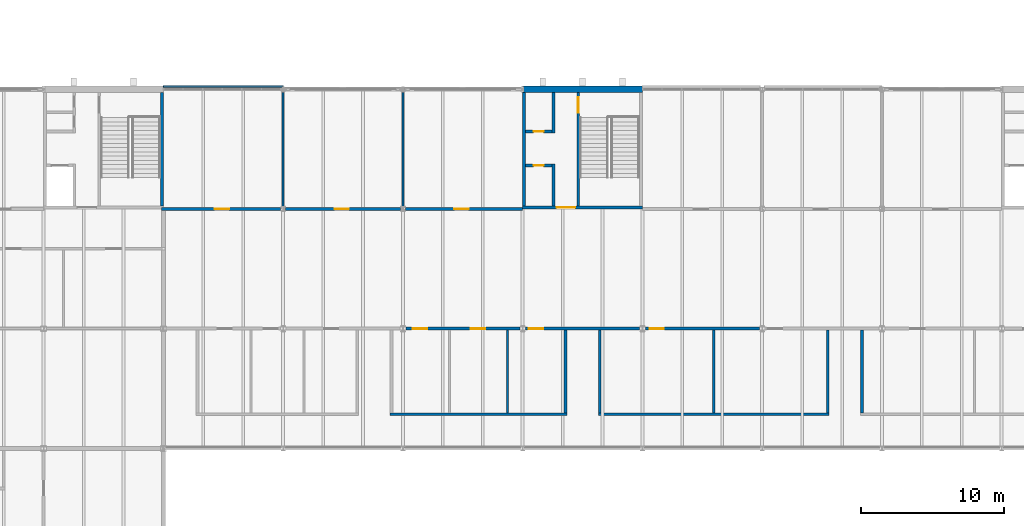
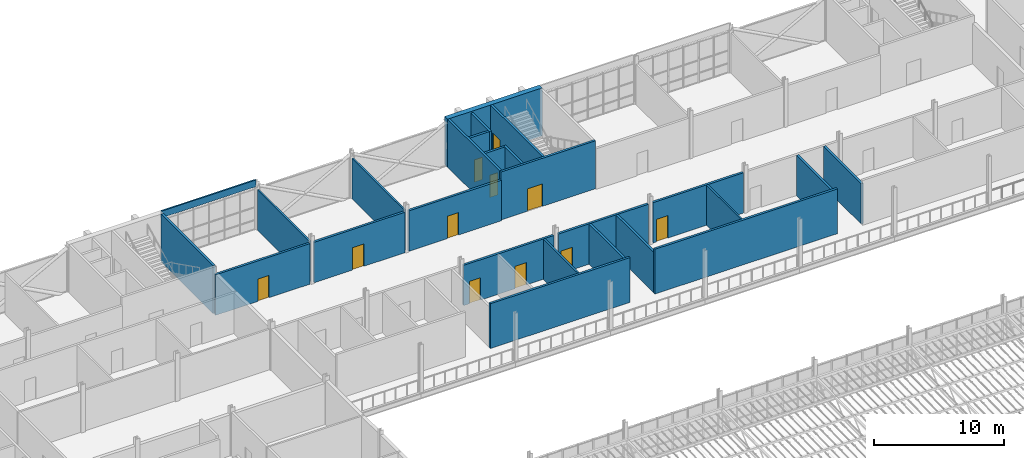
# One storey, part 92 of 129: 26 walls, 11 doors, 11 openings.
"""IFC4 building model written with IfcOpenShell, lengths in metres."""

from ifc_helpers import new_model, si_unit, direction, frame, frame_2d, origin, place, context, subcontext, project, spatial, rectangle, extrude, material, layer, layer_set, type_object, element, fill, save


model = new_model("IFC4")

# Units and contexts
model_context = context("Model", 3, precision=1e-05, world=origin(), true_north=direction((0.0, 1.0)))
body_context = subcontext(model_context, "Body", "Model", "MODEL_VIEW")
ifc_project = project(units=[si_unit("LENGTHUNIT", "METRE"), si_unit("AREAUNIT", "SQUARE_METRE"), si_unit("VOLUMEUNIT", "CUBIC_METRE"), si_unit("PLANEANGLEUNIT", "RADIAN"), si_unit("MASSUNIT", "GRAM", prefix="KILO")], contexts=[model_context])

# Site, building, storey
site_placement = place(None, origin())
site = spatial("IfcSite", under=ifc_project, at=site_placement, CompositionType="ELEMENT")
building_placement = place(site_placement, origin())
building = spatial("IfcBuilding", under=site, at=building_placement, Name="Ardhachandra Cancer Care Centre", CompositionType="ELEMENT")
storey_placement = place(building_placement, frame((0.0, 0.0, 4.5)))
storey = spatial("IfcBuildingStorey", under=building, at=storey_placement, Name="L01", CompositionType="ELEMENT", Elevation=4.5)

# Walls
ifc_material_1 = material(Name="Gypsum board corridor partition on steel studs", Category="steel")
ifc_layer_1 = layer(ifc_material_1, 0.199951171875)
ifc_layer_set_1 = layer_set([ifc_layer_1], Name="Gypsum board corridor partition on steel studs")
wall_type_1 = type_object("IfcWallType", Name="CORRIDOR WALL 200", PredefinedType="PARTITIONING", material=ifc_layer_set_1)
wall_1_placement = place(storey_placement, frame((60.300048828125, 73.800048828125, 0.0), z_axis=(0.0, 0.0, 1.0), x_axis=(1.0, 0.0, 0.0)))
element("IfcWall", 1, at=wall_1_placement, inside=storey, type_object=wall_type_1, Name="R/wall/L01/h0073800_0060300", PredefinedType="PARTITIONING", context=body_context, shape_type="SweptSolid", body=[
    extrude(rectangle(XDim=12.39990234375, YDim=0.199951171875, at=frame_2d((6.199951171875, 0.0))), origin(), (0.0, 0.0, 1.0), 4.199951171875),
])
wall_2_placement = place(storey_placement, frame((74.89990234375, 73.800048828125, 0.0), z_axis=(0.0, 0.0, 1.0), x_axis=(1.0, 0.0, 0.0)))
element("IfcWall", 2, at=wall_2_placement, inside=storey, type_object=wall_type_1, Name="R/wall/L01/h0073800_0074900", PredefinedType="PARTITIONING", context=body_context, shape_type="SweptSolid", body=[
    extrude(rectangle(XDim=16.2001953125, YDim=0.199951171875, at=frame_2d((8.10009765625, 0.0))), origin(), (0.0, 0.0, 1.0), 4.199951171875),
])

# Wall, openings, doors
wall_3_placement = place(storey_placement, frame((61.39990234375, 79.800048828125, 0.0), z_axis=(0.0, 0.0, 1.0), x_axis=(1.0, 0.0, 0.0)))
wall_3 = element("IfcWall", 3, at=wall_3_placement, inside=storey, type_object=wall_type_1, Name="R/wall/L01/h0079800_0061400", PredefinedType="PARTITIONING", context=body_context, shape_type="SweptSolid", body=[
    extrude(rectangle(XDim=8.0, YDim=0.199951171875, at=frame_2d((4.0, 0.0))), origin(), (0.0, 0.0, 1.0), 3.780517578125),
])
opening_1_placement = place(wall_3_placement, frame((0.5, 0.0, 0.0)))
opening_1 = element("IfcOpeningElement", 4, at=opening_1_placement, cuts=wall_3, Name="Opening L01-0012", PredefinedType="OPENING", context=body_context, shape_type="SweptSolid", body=[
    extrude(rectangle(XDim=1.0, YDim=2.10009765625, at=frame_2d((0.5, 1.050048828125))), frame((0.0, 0.10986328125, 0.0), z_axis=(0.0, -1.0, 0.0), x_axis=(1.0, 0.0, 0.0)), (0.0, 0.0, 1.0), 0.219970703125),
])
opening_2_placement = place(wall_3_placement, frame((4.566650390625, 0.0, 0.0)))
opening_2 = element("IfcOpeningElement", 5, at=opening_2_placement, cuts=wall_3, Name="Opening L01-0013", PredefinedType="OPENING", context=body_context, shape_type="SweptSolid", body=[
    extrude(rectangle(XDim=1.0, YDim=2.10009765625, at=frame_2d((0.5, 1.050048828125))), frame((0.0, 0.10986328125, 0.0), z_axis=(0.0, -1.0, 0.0), x_axis=(1.0, 0.0, 0.0)), (0.0, 0.0, 1.0), 0.219970703125),
])
ifc_material_2 = material(Name="Timber fire door with smoke seals", Category="wood")
door_type_1 = type_object("IfcDoorType", Name="FIRE DOOR SINGLE 1000x2100 FD30S", OperationType="NOTDEFINED", PredefinedType="DOOR", material=ifc_material_2)
door_1_placement = place(opening_1_placement, origin())
door_1 = element("IfcDoor", 6, at=door_1_placement, inside=storey, type_object=door_type_1, Name="Door L01-0012", OperationType="SINGLE_SWING_RIGHT", OverallHeight=2.10009765625, OverallWidth=1.0, PredefinedType="DOOR", context=body_context, shape_type="SweptSolid", body=[
    extrude(rectangle(XDim=1.0, YDim=2.10009765625, at=frame_2d((0.5, 1.050048828125))), frame((0.0, 0.02490234375, 0.0), z_axis=(0.0, -1.0, 0.0), x_axis=(1.0, 0.0, 0.0)), (0.0, 0.0, 1.0), 0.050048828125),
])
fill(opening_1, door_1)
door_2_placement = place(opening_2_placement, origin())
door_2 = element("IfcDoor", 7, at=door_2_placement, inside=storey, type_object=door_type_1, Name="Door L01-0013", OperationType="SINGLE_SWING_RIGHT", OverallHeight=2.10009765625, OverallWidth=1.0, PredefinedType="DOOR", context=body_context, shape_type="SweptSolid", body=[
    extrude(rectangle(XDim=1.0, YDim=2.10009765625, at=frame_2d((0.5, 1.050048828125))), frame((0.0, 0.02490234375, 0.0), z_axis=(0.0, -1.0, 0.0), x_axis=(1.0, 0.0, 0.0)), (0.0, 0.0, 1.0), 0.050048828125),
])
fill(opening_2, door_2)

# Wall, opening, door
wall_4_placement = place(storey_placement, frame((69.800048828125, 79.800048828125, 0.0), z_axis=(0.0, 0.0, 1.0), x_axis=(1.0, 0.0, 0.0)))
wall_4 = element("IfcWall", 8, at=wall_4_placement, inside=storey, type_object=wall_type_1, Name="R/wall/L01/h0079800_0069800", PredefinedType="PARTITIONING", context=body_context, shape_type="SweptSolid", body=[
    extrude(rectangle(XDim=8.0, YDim=0.199951171875, at=frame_2d((4.0, 0.0))), origin(), (0.0, 0.0, 1.0), 3.780517578125),
])
opening_3_placement = place(wall_4_placement, frame((0.2333984375, 0.0, 0.0)))
opening_3 = element("IfcOpeningElement", 9, at=opening_3_placement, cuts=wall_4, Name="Opening L01-0014", PredefinedType="OPENING", context=body_context, shape_type="SweptSolid", body=[
    extrude(rectangle(XDim=1.0, YDim=2.10009765625, at=frame_2d((0.5, 1.050048828125))), frame((0.0, 0.10986328125, 0.0), z_axis=(0.0, -1.0, 0.0), x_axis=(1.0, 0.0, 0.0)), (0.0, 0.0, 1.0), 0.219970703125),
])
door_3_placement = place(opening_3_placement, origin())
door_3 = element("IfcDoor", 10, at=door_3_placement, inside=storey, type_object=door_type_1, Name="Door L01-0014", OperationType="SINGLE_SWING_RIGHT", OverallHeight=2.10009765625, OverallWidth=1.0, PredefinedType="DOOR", context=body_context, shape_type="SweptSolid", body=[
    extrude(rectangle(XDim=1.0, YDim=2.10009765625, at=frame_2d((0.5, 1.050048828125))), frame((0.0, 0.02490234375, 0.0), z_axis=(0.0, -1.0, 0.0), x_axis=(1.0, 0.0, 0.0)), (0.0, 0.0, 1.0), 0.050048828125),
])
fill(opening_3, door_3)

wall_5_placement = place(storey_placement, frame((78.199951171875, 79.800048828125, 0.0), z_axis=(0.0, 0.0, 1.0), x_axis=(1.0, 0.0, 0.0)))
wall_5 = element("IfcWall", 11, at=wall_5_placement, inside=storey, type_object=wall_type_1, Name="R/wall/L01/h0079800_0078200", PredefinedType="PARTITIONING", context=body_context, shape_type="SweptSolid", body=[
    extrude(rectangle(XDim=8.0, YDim=0.199951171875, at=frame_2d((4.0, 0.0))), origin(), (0.0, 0.0, 1.0), 3.780517578125),
])
opening_4_placement = place(wall_5_placement, frame((0.300048828125, 0.0, 0.0)))
opening_4 = element("IfcOpeningElement", 12, at=opening_4_placement, cuts=wall_5, Name="Opening L01-0015", PredefinedType="OPENING", context=body_context, shape_type="SweptSolid", body=[
    extrude(rectangle(XDim=1.0, YDim=2.10009765625, at=frame_2d((0.5, 1.050048828125))), frame((0.0, 0.10986328125, 0.0), z_axis=(0.0, -1.0, 0.0), x_axis=(1.0, 0.0, 0.0)), (0.0, 0.0, 1.0), 0.219970703125),
])
door_4_placement = place(opening_4_placement, origin())
door_4 = element("IfcDoor", 13, at=door_4_placement, inside=storey, type_object=door_type_1, Name="Door L01-0015", OperationType="SINGLE_SWING_LEFT", OverallHeight=2.10009765625, OverallWidth=1.0, PredefinedType="DOOR", context=body_context, shape_type="SweptSolid", body=[
    extrude(rectangle(XDim=1.0, YDim=2.10009765625, at=frame_2d((0.5, 1.050048828125))), frame((0.0, 0.02490234375, 0.0), z_axis=(0.0, -1.0, 0.0), x_axis=(1.0, 0.0, 0.0)), (0.0, 0.0, 1.0), 0.050048828125),
])
fill(opening_4, door_4)

wall_6_placement = place(storey_placement, frame((44.25, 88.199951171875, 0.0), z_axis=(0.0, 0.0, 1.0), x_axis=(1.0, 0.0, 0.0)))
wall_6 = element("IfcWall", 14, at=wall_6_placement, inside=storey, type_object=wall_type_1, Name="R/wall/L01/h0088200_0044250", PredefinedType="PARTITIONING", context=body_context, shape_type="SweptSolid", body=[
    extrude(rectangle(XDim=8.3701171875, YDim=0.199951171875, at=frame_2d((4.18505859375, 0.0))), origin(), (0.0, 0.0, 1.0), 3.800048828125),
])
opening_5_placement = place(wall_6_placement, frame((3.75, 0.0, 0.0)))
opening_5 = element("IfcOpeningElement", 15, at=opening_5_placement, cuts=wall_6, Name="Opening L01-0029", PredefinedType="OPENING", context=body_context, shape_type="SweptSolid", body=[
    extrude(rectangle(XDim=1.0, YDim=2.10009765625, at=frame_2d((0.5, 1.050048828125))), frame((0.0, 0.10986328125, 0.0), z_axis=(0.0, -1.0, 0.0), x_axis=(1.0, 0.0, 0.0)), (0.0, 0.0, 1.0), 0.219970703125),
])
door_5_placement = place(opening_5_placement, origin())
door_5 = element("IfcDoor", 16, at=door_5_placement, inside=storey, type_object=door_type_1, Name="Door L01-0029", OperationType="SINGLE_SWING_RIGHT", OverallHeight=2.10009765625, OverallWidth=1.0, PredefinedType="DOOR", context=body_context, shape_type="SweptSolid", body=[
    extrude(rectangle(XDim=1.0, YDim=2.10009765625, at=frame_2d((0.5, 1.050048828125))), frame((0.0, 0.02490234375, 0.0), z_axis=(0.0, -1.0, 0.0), x_axis=(1.0, 0.0, 0.0)), (0.0, 0.0, 1.0), 0.050048828125),
])
fill(opening_5, door_5)

wall_7_placement = place(storey_placement, frame((52.97998046875, 88.199951171875, 0.0), z_axis=(0.0, 0.0, 1.0), x_axis=(1.0, 0.0, 0.0)))
wall_7 = element("IfcWall", 17, at=wall_7_placement, inside=storey, type_object=wall_type_1, Name="R/wall/L01/h0088200_0052980", PredefinedType="PARTITIONING", context=body_context, shape_type="SweptSolid", body=[
    extrude(rectangle(XDim=8.0400390625, YDim=0.199951171875, at=frame_2d((4.02001953125, 0.0))), origin(), (0.0, 0.0, 1.0), 3.800048828125),
])
opening_6_placement = place(wall_7_placement, frame((3.419921875, 0.0, 0.0)))
opening_6 = element("IfcOpeningElement", 18, at=opening_6_placement, cuts=wall_7, Name="Opening L01-0030", PredefinedType="OPENING", context=body_context, shape_type="SweptSolid", body=[
    extrude(rectangle(XDim=1.0, YDim=2.10009765625, at=frame_2d((0.5, 1.050048828125))), frame((0.0, 0.10986328125, 0.0), z_axis=(0.0, -1.0, 0.0), x_axis=(1.0, 0.0, 0.0)), (0.0, 0.0, 1.0), 0.219970703125),
])
door_6_placement = place(opening_6_placement, origin())
door_6 = element("IfcDoor", 19, at=door_6_placement, inside=storey, type_object=door_type_1, Name="Door L01-0030", OperationType="SINGLE_SWING_RIGHT", OverallHeight=2.10009765625, OverallWidth=1.0, PredefinedType="DOOR", context=body_context, shape_type="SweptSolid", body=[
    extrude(rectangle(XDim=1.0, YDim=2.10009765625, at=frame_2d((0.5, 1.050048828125))), frame((0.0, 0.02490234375, 0.0), z_axis=(0.0, -1.0, 0.0), x_axis=(1.0, 0.0, 0.0)), (0.0, 0.0, 1.0), 0.050048828125),
])
fill(opening_6, door_6)

wall_8_placement = place(storey_placement, frame((61.3798828125, 88.199951171875, 0.0), z_axis=(0.0, 0.0, 1.0), x_axis=(1.0, 0.0, 0.0)))
wall_8 = element("IfcWall", 20, at=wall_8_placement, inside=storey, type_object=wall_type_1, Name="R/wall/L01/h0088200_0061380", PredefinedType="PARTITIONING", context=body_context, shape_type="SweptSolid", body=[
    extrude(rectangle(XDim=8.22021484375, YDim=0.199951171875, at=frame_2d((4.110107421875, 0.0))), origin(), (0.0, 0.0, 1.0), 3.800048828125),
])
opening_7_placement = place(wall_8_placement, frame((3.419921875, 0.0, 0.0)))
opening_7 = element("IfcOpeningElement", 21, at=opening_7_placement, cuts=wall_8, Name="Opening L01-0031", PredefinedType="OPENING", context=body_context, shape_type="SweptSolid", body=[
    extrude(rectangle(XDim=1.0, YDim=2.10009765625, at=frame_2d((0.5, 1.050048828125))), frame((0.0, 0.10986328125, 0.0), z_axis=(0.0, -1.0, 0.0), x_axis=(1.0, 0.0, 0.0)), (0.0, 0.0, 1.0), 0.219970703125),
])
door_7_placement = place(opening_7_placement, origin())
door_7 = element("IfcDoor", 22, at=door_7_placement, inside=storey, type_object=door_type_1, Name="Door L01-0031", OperationType="SINGLE_SWING_LEFT", OverallHeight=2.10009765625, OverallWidth=1.0, PredefinedType="DOOR", context=body_context, shape_type="SweptSolid", body=[
    extrude(rectangle(XDim=1.0, YDim=2.10009765625, at=frame_2d((0.5, 1.050048828125))), frame((0.0, 0.02490234375, 0.0), z_axis=(0.0, -1.0, 0.0), x_axis=(1.0, 0.0, 0.0)), (0.0, 0.0, 1.0), 0.050048828125),
])
fill(opening_7, door_7)

# Walls
for number, where, z_axis, x_axis, name in (
    (23, (72.60009765625, 73.89990234375, 0.0), (0.0, 0.0, 1.0), (0.0, 1.0, 0.0), "R/wall/L01/v0072600_0073900"),
    (24, (75.0, 73.89990234375, 0.0), (0.0, 0.0, 1.0), (0.0, 1.0, 0.0), "R/wall/L01/v0075000_0073900"),
    (25, (91.0, 73.89990234375, 0.0), (0.0, 0.0, 1.0), (0.0, 1.0, 0.0), "R/wall/L01/v0091000_0073900"),
    (26, (93.39990234375, 73.89990234375, 0.0), (0.0, 0.0, 1.0), (0.0, 1.0, 0.0), "R/wall/L01/v0093400_0073900"),
):
    element("IfcWall", number, at=place(storey_placement, frame(where, z_axis=z_axis, x_axis=x_axis)), inside=storey, type_object=wall_type_1, Name=name, PredefinedType="PARTITIONING", context=body_context, shape_type="SweptSolid", body=[
        extrude(rectangle(XDim=5.800048828125, YDim=0.199951171875, at=frame_2d((2.89990234375, 0.0))), origin(), (0.0, 0.0, 1.0), 3.780517578125),
    ])
ifc_material_3 = material(Name="Concrete M40", Category="concrete")
ifc_layer_2 = layer(ifc_material_3, 0.449951171875)
ifc_layer_set_2 = layer_set([ifc_layer_2], Name="Concrete M40")
wall_type_2 = type_object("IfcWallType", Name="Core exterior wall RC 450", PredefinedType="SOLIDWALL", material=ifc_layer_set_2)
wall_9_placement = place(storey_placement, frame((78.0, 96.60009765625, 0.0), z_axis=(0.0, 0.0, 1.0), x_axis=(-1.0, 0.0, 0.0)))
element("IfcWall", 27, at=wall_9_placement, inside=storey, type_object=wall_type_2, Name="Core wall K8 FAR", PredefinedType="SOLIDWALL", context=body_context, shape_type="SweptSolid", body=[
    extrude(rectangle(XDim=8.39990234375, YDim=0.449951171875, at=frame_2d((4.199951171875, 0.0))), origin(), (0.0, 0.0, 1.0), 4.5),
])
ifc_material_4 = material(Name="Concrete M40", Category="concrete")
ifc_layer_3 = layer(ifc_material_4, 0.199951171875)
ifc_layer_set_3 = layer_set([ifc_layer_3], Name="Concrete M40")
wall_type_3 = type_object("IfcWallType", Name="Core wall RC 200", PredefinedType="SOLIDWALL", material=ifc_layer_set_3)
wall_10_placement = place(storey_placement, frame((44.300048828125, 88.39990234375, 0.0), z_axis=(0.0, 0.0, 1.0), x_axis=(0.0, 1.0, 0.0)))
element("IfcWall", 28, at=wall_10_placement, inside=storey, type_object=wall_type_3, Name="Core wall K5 UW", PredefinedType="SOLIDWALL", context=body_context, shape_type="SweptSolid", body=[
    extrude(rectangle(XDim=7.97509765625, YDim=0.199951171875, at=frame_2d((3.987548828125, 0.0))), origin(), (0.0, 0.0, 1.0), 4.5),
])

# Wall, opening, door
wall_11_placement = place(storey_placement, frame((78.0, 88.300048828125, 0.0), z_axis=(0.0, 0.0, 1.0), x_axis=(-1.0, 0.0, 0.0)))
wall_11 = element("IfcWall", 29, at=wall_11_placement, inside=storey, type_object=wall_type_3, Name="Core wall K8 ENT", PredefinedType="SOLIDWALL", context=body_context, shape_type="SweptSolid", body=[
    extrude(rectangle(XDim=8.39990234375, YDim=0.199951171875, at=frame_2d((4.199951171875, 0.0))), origin(), (0.0, 0.0, 1.0), 4.5),
])
opening_8_placement = place(wall_11_placement, frame((4.72509765625, 0.0, 0.0)))
opening_8 = element("IfcOpeningElement", 30, at=opening_8_placement, cuts=wall_11, Name="Opening L01-K08-1", PredefinedType="OPENING", context=body_context, shape_type="SweptSolid", body=[
    extrude(rectangle(XDim=1.300048828125, YDim=2.10009765625, at=frame_2d((0.64990234375, 1.050048828125))), frame((0.0, 0.10986328125, 0.0), z_axis=(0.0, -1.0, 0.0), x_axis=(1.0, 0.0, 0.0)), (0.0, 0.0, 1.0), 0.219970703125),
])
ifc_material_5 = material(Name="Steel door set", Category="steel")
door_type_2 = type_object("IfcDoorType", Name="Core entry double door 1300x2100 FD60", OperationType="DOUBLE_DOOR_DOUBLE_SWING", PredefinedType="DOOR", material=ifc_material_5)
door_8_placement = place(opening_8_placement, origin())
door_8 = element("IfcDoor", 31, at=door_8_placement, inside=storey, type_object=door_type_2, Name="Core entry door", OperationType="DOUBLE_DOOR_DOUBLE_SWING", OverallHeight=2.10009765625, OverallWidth=1.300048828125, PredefinedType="DOOR", context=body_context, shape_type="SweptSolid", body=[
    extrude(rectangle(XDim=1.300048828125, YDim=2.10009765625, at=frame_2d((0.64990234375, 1.050048828125))), frame((0.0, 0.02490234375, 0.0), z_axis=(0.0, -1.0, 0.0), x_axis=(1.0, 0.0, 0.0)), (0.0, 0.0, 1.0), 0.050048828125),
])
fill(opening_8, door_8)

# Wall
wall_12_placement = place(storey_placement, frame((69.699951171875, 88.39990234375, 0.0), z_axis=(0.0, 0.0, 1.0), x_axis=(0.0, 1.0, 0.0)))
element("IfcWall", 32, at=wall_12_placement, inside=storey, type_object=wall_type_3, Name="Core wall K8 UE", PredefinedType="SOLIDWALL", context=body_context, shape_type="SweptSolid", body=[
    extrude(rectangle(XDim=7.97509765625, YDim=0.199951171875, at=frame_2d((3.987548828125, 0.0))), origin(), (0.0, 0.0, 1.0), 4.5),
])

# Wall, opening, door
wall_13_placement = place(storey_placement, frame((73.5, 88.39990234375, 0.0), z_axis=(0.0, 0.0, 1.0), x_axis=(0.0, 1.0, 0.0)))
wall_13 = element("IfcWall", 33, at=wall_13_placement, inside=storey, type_object=wall_type_3, Name="Core wall K8 P1", PredefinedType="SOLIDWALL", context=body_context, shape_type="SweptSolid", body=[
    extrude(rectangle(XDim=7.97509765625, YDim=0.199951171875, at=frame_2d((3.987548828125, 0.0))), origin(), (0.0, 0.0, 1.0), 4.5),
])
opening_9_placement = place(wall_13_placement, frame((6.53759765625, 0.0, 0.0)))
opening_9 = element("IfcOpeningElement", 34, at=opening_9_placement, cuts=wall_13, Name="Opening L01-K08-2", PredefinedType="OPENING", context=body_context, shape_type="SweptSolid", body=[
    extrude(rectangle(XDim=1.10009765625, YDim=2.10009765625, at=frame_2d((0.550048828125, 1.050048828125))), frame((0.0, 0.10986328125, 0.0), z_axis=(0.0, -1.0, 0.0), x_axis=(1.0, 0.0, 0.0)), (0.0, 0.0, 1.0), 0.219970703125),
])
ifc_material_6 = material(Name="Steel door set", Category="steel")
door_type_3 = type_object("IfcDoorType", Name="Stair door 1100x2100 FD60S", OperationType="NOTDEFINED", PredefinedType="DOOR", material=ifc_material_6)
door_9_placement = place(opening_9_placement, origin())
door_9 = element("IfcDoor", 35, at=door_9_placement, inside=storey, type_object=door_type_3, Name="Stair door", OperationType="SINGLE_SWING_LEFT", OverallHeight=2.10009765625, OverallWidth=1.10009765625, PredefinedType="DOOR", context=body_context, shape_type="SweptSolid", body=[
    extrude(rectangle(XDim=1.10009765625, YDim=2.10009765625, at=frame_2d((0.550048828125, 1.050048828125))), frame((0.0, 0.02490234375, 0.0), z_axis=(0.0, -1.0, 0.0), x_axis=(1.0, 0.0, 0.0)), (0.0, 0.0, 1.0), 0.050048828125),
])
fill(opening_9, door_9)

# Walls
wall_14_placement = place(storey_placement, frame((71.75, 88.39990234375, 0.0), z_axis=(0.0, 0.0, 1.0), x_axis=(0.0, 1.0, 0.0)))
element("IfcWall", 36, at=wall_14_placement, inside=storey, type_object=wall_type_3, Name="Core wall K8 P2A", PredefinedType="SOLIDWALL", context=body_context, shape_type="SweptSolid", body=[
    extrude(rectangle(XDim=2.9501953125, YDim=0.199951171875, at=frame_2d((1.47509765625, 0.0))), origin(), (0.0, 0.0, 1.0), 4.35009765625),
])
wall_15_placement = place(storey_placement, frame((71.75, 93.52490234375, 0.0), z_axis=(0.0, 0.0, 1.0), x_axis=(0.0, 1.0, 0.0)))
element("IfcWall", 37, at=wall_15_placement, inside=storey, type_object=wall_type_3, Name="Core wall K8 P2B", PredefinedType="SOLIDWALL", context=body_context, shape_type="SweptSolid", body=[
    extrude(rectangle(XDim=2.85009765625, YDim=0.199951171875, at=frame_2d((1.425048828125, 0.0))), origin(), (0.0, 0.0, 1.0), 4.35009765625),
])

# Wall, opening, door
wall_16_placement = place(storey_placement, frame((71.64990234375, 91.25, 0.0), z_axis=(0.0, 0.0, 1.0), x_axis=(-1.0, 0.0, 0.0)))
wall_16 = element("IfcWall", 38, at=wall_16_placement, inside=storey, type_object=wall_type_3, Name="Core wall K8 W1", PredefinedType="SOLIDWALL", context=body_context, shape_type="SweptSolid", body=[
    extrude(rectangle(XDim=1.849853515625, YDim=0.199951171875, at=frame_2d((0.9248046875, 0.0))), origin(), (0.0, 0.0, 1.0), 4.35009765625),
])
opening_10_placement = place(wall_16_placement, frame((0.574951171875, 0.0, 0.0)))
opening_10 = element("IfcOpeningElement", 39, at=opening_10_placement, cuts=wall_16, Name="Opening L01-K08-3", PredefinedType="OPENING", context=body_context, shape_type="SweptSolid", body=[
    extrude(rectangle(XDim=0.699951171875, YDim=2.10009765625, at=frame_2d((0.35009765625, 1.050048828125))), frame((0.0, 0.10986328125, 0.0), z_axis=(0.0, -1.0, 0.0), x_axis=(1.0, 0.0, 0.0)), (0.0, 0.0, 1.0), 0.219970703125),
])
ifc_material_7 = material(Name="Steel door set", Category="steel")
door_type_4 = type_object("IfcDoorType", Name="Riser access door 700x2100 FD120S", OperationType="NOTDEFINED", PredefinedType="DOOR", material=ifc_material_7)
door_10_placement = place(opening_10_placement, origin())
door_10 = element("IfcDoor", 40, at=door_10_placement, inside=storey, type_object=door_type_4, Name="Riser access door", OperationType="SINGLE_SWING_RIGHT", OverallHeight=2.10009765625, OverallWidth=0.699951171875, PredefinedType="DOOR", context=body_context, shape_type="SweptSolid", body=[
    extrude(rectangle(XDim=0.699951171875, YDim=2.10009765625, at=frame_2d((0.35009765625, 1.050048828125))), frame((0.0, 0.02490234375, 0.0), z_axis=(0.0, -1.0, 0.0), x_axis=(1.0, 0.0, 0.0)), (0.0, 0.0, 1.0), 0.050048828125),
])
fill(opening_10, door_10)

wall_17_placement = place(storey_placement, frame((71.64990234375, 93.625, 0.0), z_axis=(0.0, 0.0, 1.0), x_axis=(-1.0, 0.0, 0.0)))
wall_17 = element("IfcWall", 41, at=wall_17_placement, inside=storey, type_object=wall_type_3, Name="Core wall K8 W2", PredefinedType="SOLIDWALL", context=body_context, shape_type="SweptSolid", body=[
    extrude(rectangle(XDim=1.849853515625, YDim=0.199951171875, at=frame_2d((0.9248046875, 0.0))), origin(), (0.0, 0.0, 1.0), 4.35009765625),
])
opening_11_placement = place(wall_17_placement, frame((0.574951171875, 0.0, 0.0)))
opening_11 = element("IfcOpeningElement", 42, at=opening_11_placement, cuts=wall_17, Name="Opening L01-K08-4", PredefinedType="OPENING", context=body_context, shape_type="SweptSolid", body=[
    extrude(rectangle(XDim=0.699951171875, YDim=2.10009765625, at=frame_2d((0.35009765625, 1.050048828125))), frame((0.0, 0.10986328125, 0.0), z_axis=(0.0, -1.0, 0.0), x_axis=(1.0, 0.0, 0.0)), (0.0, 0.0, 1.0), 0.219970703125),
])
door_11_placement = place(opening_11_placement, origin())
door_11 = element("IfcDoor", 43, at=door_11_placement, inside=storey, type_object=door_type_4, Name="Riser access door", OperationType="SINGLE_SWING_RIGHT", OverallHeight=2.10009765625, OverallWidth=0.699951171875, PredefinedType="DOOR", context=body_context, shape_type="SweptSolid", body=[
    extrude(rectangle(XDim=0.699951171875, YDim=2.10009765625, at=frame_2d((0.35009765625, 1.050048828125))), frame((0.0, 0.02490234375, 0.0), z_axis=(0.0, -1.0, 0.0), x_axis=(1.0, 0.0, 0.0)), (0.0, 0.0, 1.0), 0.050048828125),
])
fill(opening_11, door_11)

# Walls
ifc_material_8 = material(Name="Precast Concrete M30 fascia panel with brick slip facing", Category="masonry")
ifc_layer_4 = layer(ifc_material_8, 0.1298828125)
ifc_layer_set_4 = layer_set([ifc_layer_4], Name="Precast Concrete M30 fascia panel with brick slip facing")
wall_type_4 = type_object("IfcWallType", Name="Edge beam fascia 130", PredefinedType="SOLIDWALL", material=ifc_layer_set_4)
wall_18_placement = place(storey_placement, frame((44.39990234375, 96.760009765625, 3.8701171875), z_axis=(0.0, 0.0, 1.0), x_axis=(1.0, 0.0, 0.0)))
element("IfcWall", 44, at=wall_18_placement, inside=storey, type_object=wall_type_4, Name="E/fascia/L01/n/0044400_0096600", PredefinedType="SOLIDWALL", context=body_context, shape_type="SweptSolid", body=[
    extrude(rectangle(XDim=8.400146484375, YDim=0.1298828125, at=frame_2d((4.2001953125, 0.0))), origin(), (0.0, 0.0, 1.0), 0.6298828125),
])
ifc_material_9 = material(Name="Gypsum board partition on steel studs", Category="steel")
ifc_layer_5 = layer(ifc_material_9, 0.14990234375)
ifc_layer_set_5 = layer_set([ifc_layer_5], Name="Gypsum board partition on steel studs")
wall_type_5 = type_object("IfcWallType", Name="PARTITION 150", PredefinedType="PARTITIONING", material=ifc_layer_set_5)
for number, where, z_axis, x_axis, name in (
    (45, (68.533447265625, 73.89990234375, 0.0), (0.0, 0.0, 1.0), (0.0, 1.0, 0.0), "R/wall/L01/v0068533_0073900"),
    (46, (83.0, 73.89990234375, 0.0), (0.0, 0.0, 1.0), (0.0, 1.0, 0.0), "R/wall/L01/v0083000_0073900"),
):
    element("IfcWall", number, at=place(storey_placement, frame(where, z_axis=z_axis, x_axis=x_axis)), inside=storey, type_object=wall_type_5, Name=name, PredefinedType="PARTITIONING", context=body_context, shape_type="SweptSolid", body=[
        extrude(rectangle(XDim=5.800048828125, YDim=0.14990234375, at=frame_2d((2.89990234375, 0.0))), origin(), (0.0, 0.0, 1.0), 3.780517578125),
    ])
ifc_material_10 = material(Name="Gypsum board partition on steel studs", Category="steel")
ifc_layer_6 = layer(ifc_material_10, 0.14990234375)
ifc_layer_set_6 = layer_set([ifc_layer_6], Name="Gypsum board partition on steel studs")
wall_type_6 = type_object("IfcWallType", Name="PARTITION 150 EI 60", PredefinedType="PARTITIONING", material=ifc_layer_set_6)
for number, where, z_axis, x_axis, name in (
    (47, (52.800048828125, 88.3798828125, 0.0), (0.0, 0.0, 1.0), (0.0, 1.0, 0.0), "R/wall/L01/v0052800_0088380"),
    (48, (61.199951171875, 88.3798828125, 0.0), (0.0, 0.0, 1.0), (0.0, 1.0, 0.0), "R/wall/L01/v0061200_0088380"),
):
    element("IfcWall", number, at=place(storey_placement, frame(where, z_axis=z_axis, x_axis=x_axis)), inside=storey, type_object=wall_type_6, Name=name, PredefinedType="PARTITIONING", context=body_context, shape_type="SweptSolid", body=[
        extrude(rectangle(XDim=7.9951171875, YDim=0.14990234375, at=frame_2d((3.99755859375, 0.0))), origin(), (0.0, 0.0, 1.0), 3.800048828125),
    ])

save(model, "model.ifc")
